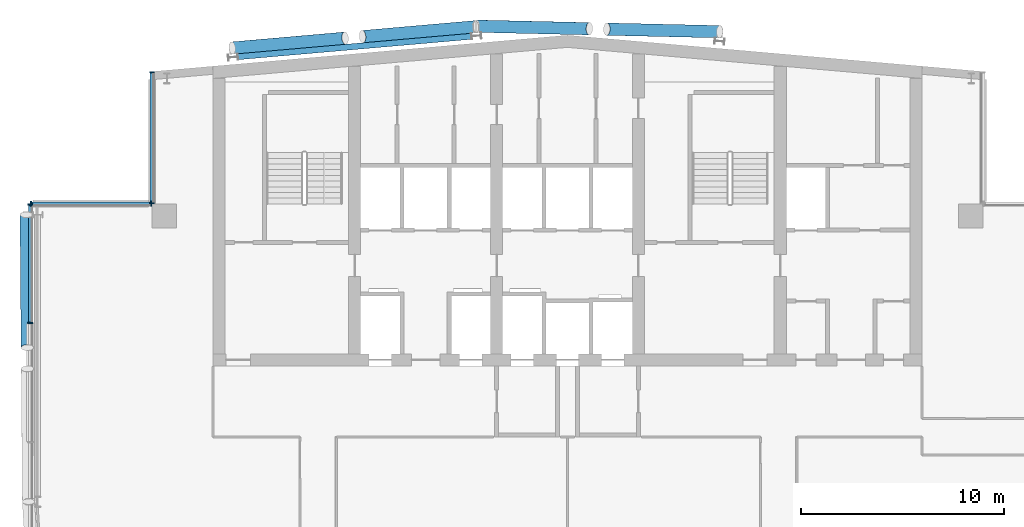
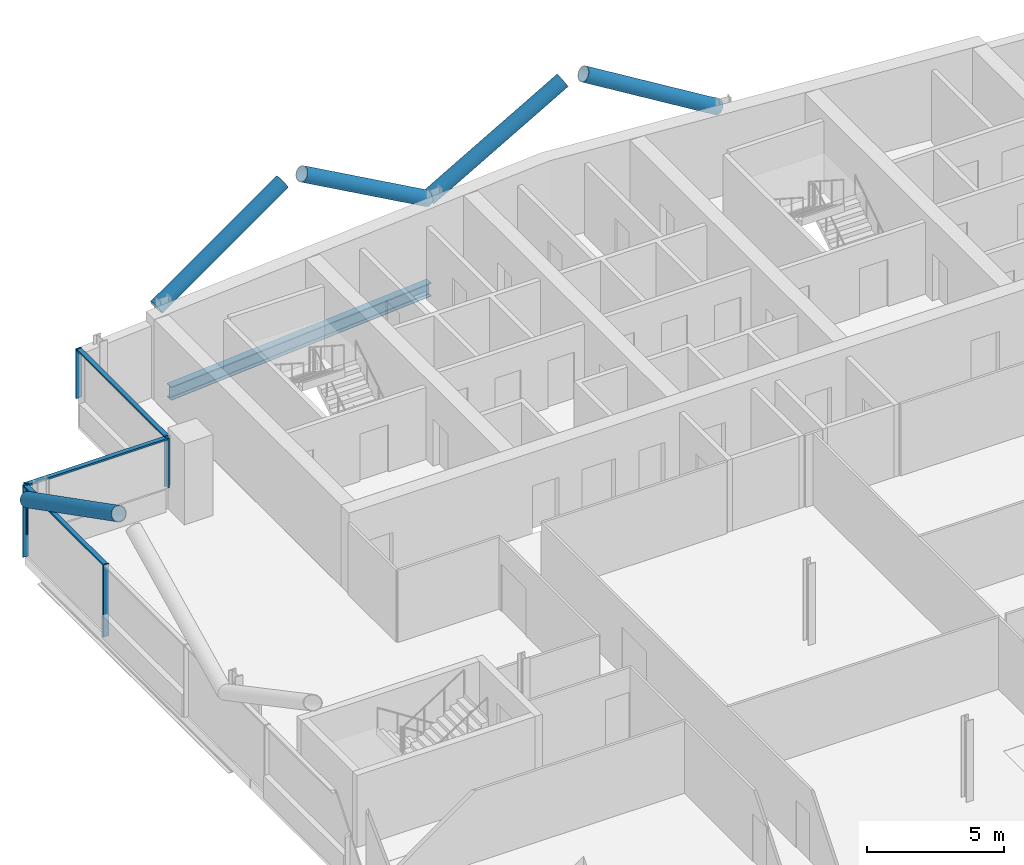
# One storey, part 10 of 28: 14 members, 1 beam, 3 elements without a shape of their own.
"""IFC4 building model written with IfcOpenShell, lengths in metres."""

import ifcopenshell
import ifcopenshell.guid

model = None  # the IFC model being written
_history = None  # IfcOwnerHistory: only IFC2X3 demands one
_inside = {}  # id of a spatial element -> (the spatial element, [elements in it])
_under = {}  # id of a project, library or spatial element -> (it, [spatial elements below it])
_declared = {}  # id of a project -> (the project, [libraries it declares])
_typed = {}  # id of a type object -> (the type object, [elements of that type])
_made_of = {}  # id of a material, layer set ... -> (it, [elements and type objects made of it])


def new_model(schema):
    """Start an empty IFC model of exactly this schema.

    Asked for "IFC4X3", IfcOpenShell would pick the latest addendum, in which some entities
    have other attributes; the version numbers below select the first issue.
    IFC2X3 requires an IfcOwnerHistory on every rooted entity: one is made here for all.
    """
    global model, _history
    if schema == "IFC4X3":
        model = ifcopenshell.file(schema_version=(4, 3, 0, 0))
    else:
        model = ifcopenshell.file(schema=schema)
    _inside.clear()
    _under.clear()
    _declared.clear()
    _typed.clear()
    _made_of.clear()
    _history = None
    if model.schema == "IFC2X3":
        org = make("IfcOrganization", Name="unknown")
        user = make(
            "IfcPersonAndOrganization",
            ThePerson=make("IfcPerson", FamilyName="unknown"),
            TheOrganization=org,
        )
        app = make(
            "IfcApplication",
            ApplicationDeveloper=org,
            Version="unknown",
            ApplicationFullName="unknown",
            ApplicationIdentifier="unknown",
        )
        _history = make(
            "IfcOwnerHistory",
            OwningUser=user,
            OwningApplication=app,
            ChangeAction="ADDED",
            CreationDate=0,
        )
    return model


def make(cls, **values):
    """One entity of the class cls with the attributes given. An attribute that is None is left unset."""
    return model.create_entity(
        cls, **{name: value for name, value in values.items() if value is not None}
    )


def rooted(cls, **values):
    """An entity with a GlobalId (a new one), such as an element, a storey or a relation."""
    return make(cls, GlobalId=ifcopenshell.guid.new(), OwnerHistory=_history, **values)


def si_unit(unit_type, name, prefix=None):
    """IfcSIUnit, for example si_unit("LENGTHUNIT", "METRE", prefix="MILLI")."""
    return make("IfcSIUnit", UnitType=unit_type, Prefix=prefix, Name=name)


def assignment(units):
    """IfcUnitAssignment: the units of a project."""
    return None if units is None else make("IfcUnitAssignment", Units=units)


def point(xyz):
    """IfcCartesianPoint."""
    return None if xyz is None else make("IfcCartesianPoint", Coordinates=xyz)


def direction(xyz):
    """IfcDirection."""
    return None if xyz is None else make("IfcDirection", DirectionRatios=xyz)


def frame(location, z_axis=None, x_axis=None):
    """IfcAxis2Placement3D, a coordinate frame: its origin and axes. An axis left out is left unset."""
    return make(
        "IfcAxis2Placement3D",
        Location=point(location),
        Axis=direction(z_axis),
        RefDirection=direction(x_axis),
    )


def frame_2d(location, x_axis=None):
    """IfcAxis2Placement2D, a coordinate frame in the plane: its origin and x axis."""
    return make(
        "IfcAxis2Placement2D", Location=point(location), RefDirection=direction(x_axis)
    )


def origin():
    """The frame at (0, 0, 0) with its axes left unset."""
    return frame((0.0, 0.0, 0.0))


def origin_2d():
    """The frame at (0, 0) in the plane with its x axis left unset."""
    return frame_2d((0.0, 0.0))


def place(relative_to, where):
    """IfcLocalPlacement: puts the frame where relative to a parent placement (None: the world)."""
    return make(
        "IfcLocalPlacement", PlacementRelTo=relative_to, RelativePlacement=where
    )


def context(
    kind, dimensions, precision=None, world=None, true_north=None, identifier=None
):
    """IfcGeometricRepresentationContext, for example the 3D "Model" context."""
    return make(
        "IfcGeometricRepresentationContext",
        ContextIdentifier=identifier,
        ContextType=kind,
        CoordinateSpaceDimension=dimensions,
        Precision=precision,
        WorldCoordinateSystem=world,
        TrueNorth=true_north,
    )


def subcontext(parent, identifier, kind, view, scale=None):
    """IfcGeometricRepresentationSubContext, for example "Body" below "Model"."""
    return make(
        "IfcGeometricRepresentationSubContext",
        ContextIdentifier=identifier,
        ContextType=kind,
        ParentContext=parent,
        TargetScale=scale,
        TargetView=view,
    )


def project(units=None, contexts=None):
    """IfcProject with its units and contexts."""
    return rooted(
        "IfcProject",
        Name="project",
        RepresentationContexts=contexts,
        UnitsInContext=assignment(units),
    )


def spatial(cls, under=None, at=None, **own):
    """A site, building, storey or space (cls), placed at a placement, below another one or the project."""
    s = rooted(cls, ObjectPlacement=at, **own)
    if under is not None:
        _under.setdefault(under.id(), (under, []))[1].append(s)
    return s


def profile(cls, at=None, kind="AREA", **sizes):
    """A parametric profile (cls). Its sizes go by their IFC names, for example OverallWidth=200.0."""
    return make(cls, ProfileType=kind, Position=at, **sizes)


def rectangle(**sizes):
    """IfcRectangleProfileDef."""
    return profile("IfcRectangleProfileDef", **sizes)


def hollow_circle(**sizes):
    """IfcCircleHollowProfileDef."""
    return profile("IfcCircleHollowProfileDef", **sizes)


def i_section(**sizes):
    """IfcIShapeProfileDef."""
    return profile("IfcIShapeProfileDef", **sizes)


def extrude(swept, where, along, depth):
    """IfcExtrudedAreaSolid: the profile swept, set in the frame where, extruded along a direction by depth."""
    return make(
        "IfcExtrudedAreaSolid",
        SweptArea=swept,
        Position=where,
        ExtrudedDirection=direction(along),
        Depth=depth,
    )


def shape(context_of_items, identifier, shape_type, items):
    """IfcShapeRepresentation: the items that make up one representation, for example the "Body"."""
    return make(
        "IfcShapeRepresentation",
        ContextOfItems=context_of_items,
        RepresentationIdentifier=identifier,
        RepresentationType=shape_type,
        Items=items,
    )


def material(Name=None, Category=None):
    """IfcMaterial."""
    return make("IfcMaterial", Name=Name, Category=Category)


def material_profile(
    of_material, cross_section, Name=None, Category=None, Priority=None
):
    """IfcMaterialProfile: a cross section and its material."""
    return make(
        "IfcMaterialProfile",
        Name=Name,
        Material=of_material,
        Profile=cross_section,
        Priority=Priority,
        Category=Category,
    )


def profile_set(profiles, Name=None, composite=None):
    """IfcMaterialProfileSet."""
    return make(
        "IfcMaterialProfileSet",
        Name=Name,
        MaterialProfiles=profiles,
        CompositeProfile=composite,
    )


def made_of(thing, what):
    """Note that an element or type object is made of a material, layer set ...; save() writes the relation."""
    if what is not None:
        _made_of.setdefault(what.id(), (what, []))[1].append(thing)
    return thing


def type_object(cls, material=None, **own):
    """A type object (cls), such as IfcWallType, which elements share."""
    return made_of(rooted(cls, **own), material)


def element(
    cls,
    number,
    at=None,
    inside=None,
    cuts=None,
    type_object=None,
    material=None,
    context=None,
    identifier="Body",
    shape_type=None,
    held_by="IfcProductDefinitionShape",
    body=None,
    shapes=None,
    **own,
):
    """One element of the class cls, such as IfcWall. Its Tag is "e" and its number.

    at: its placement. inside: the storey or other place that contains it. cuts: it is an
    opening in that element (IfcRelVoidsElement). A single representation is given by context,
    identifier, shape_type and body (its items); several are given by shapes. held_by: the class
    of the entity that holds the representations. save() writes the other relations.
    """
    e = rooted(cls, Tag="e%d" % number, ObjectPlacement=at, **own)
    if body is not None:
        shapes = [shape(context, identifier, shape_type, body)]
    if shapes is not None:
        e.Representation = make(held_by, Representations=shapes)
    if inside is not None:
        _inside.setdefault(inside.id(), (inside, []))[1].append(e)
    if cuts is not None:
        rooted(
            "IfcRelVoidsElement", RelatingBuildingElement=cuts, RelatedOpeningElement=e
        )
    if type_object is not None:
        _typed.setdefault(type_object.id(), (type_object, []))[1].append(e)
    return made_of(e, material)


def aggregate(whole, parts):
    """IfcRelAggregates: a whole, such as a stair, and the parts it consists of."""
    return rooted("IfcRelAggregates", RelatingObject=whole, RelatedObjects=parts)


def save(model, path):
    """Write the relations noted so far, then the file.

    IfcRelAggregates (storeys below a building ...), IfcRelContainedInSpatialStructure (elements
    in a storey), IfcRelDefinesByType, IfcRelAssociatesMaterial and IfcRelDeclares: one each for
    every whole, place, type object, material and project.
    """
    for whole, parts in _under.values():
        aggregate(whole, parts)
    for where, things in _inside.values():
        rooted(
            "IfcRelContainedInSpatialStructure",
            RelatedElements=things,
            RelatingStructure=where,
        )
    for kind, things in _typed.values():
        rooted("IfcRelDefinesByType", RelatedObjects=things, RelatingType=kind)
    for what, things in _made_of.values():
        rooted("IfcRelAssociatesMaterial", RelatedObjects=things, RelatingMaterial=what)
    for by, libraries in _declared.values():
        rooted("IfcRelDeclares", RelatingContext=by, RelatedDefinitions=libraries)
    model.write(path)


model = new_model("IFC4")

# Units and contexts
model_context = context("Model", 3, precision=1e-05, world=origin(), true_north=direction((0.0, 1.0)))
body_context = subcontext(model_context, "Body", "Model", "MODEL_VIEW")
ifc_project = project(units=[si_unit("LENGTHUNIT", "METRE"), si_unit("AREAUNIT", "SQUARE_METRE"), si_unit("VOLUMEUNIT", "CUBIC_METRE"), si_unit("PLANEANGLEUNIT", "RADIAN"), si_unit("MASSUNIT", "GRAM", prefix="KILO")], contexts=[model_context])

# Site, building, storey
site_placement = place(None, origin())
site = spatial("IfcSite", under=ifc_project, at=site_placement, CompositionType="ELEMENT")
building_placement = place(site_placement, origin())
building = spatial("IfcBuilding", under=site, at=building_placement, Name="Wharfspan Tower", CompositionType="ELEMENT")
storey_placement = place(building_placement, frame((0.0, 0.0, 250.300049)))
storey = spatial("IfcBuildingStorey", under=building, at=storey_placement, Name="L63", CompositionType="ELEMENT", Elevation=250.300049)

# Beam
ifc_material_1 = material(Name="Steel S355J2", Category="steel")
ifc_material_profile_1 = material_profile(ifc_material_1, i_section(OverallWidth=0.300049, OverallDepth=0.600098, WebThickness=0.015381, FlangeThickness=0.030029, FilletRadius=0.0271, at=origin_2d()))
ifc_profile_set_1 = profile_set([ifc_material_profile_1], Name="Steel S355J2")
beam_type = type_object("IfcBeamType", Name="Edge beam HEB 600", PredefinedType="SPANDREL", material=ifc_profile_set_1)
beam_placement = place(storey_placement, frame((35.754883, 50.263428, -0.699951), z_axis=(-0.996194, -0.087165, 0.0), x_axis=(0.087165, -0.996194, 0.0)))
element("IfcBeam", 1, at=beam_placement, inside=storey, type_object=beam_type, Name="Edge beam N1 L63 R.2 to R.1", PredefinedType="SPANDREL", context=body_context, shape_type="SweptSolid", body=[
    extrude(i_section(OverallWidth=0.300049, OverallDepth=0.600098, WebThickness=0.015381, FlangeThickness=0.030029, FilletRadius=0.0271, at=origin_2d()), origin(), (0.0, 0.0, 1.0), 11.553711),
])

# Curtain wall, members
ifc_material_2 = material(Name="Aluminium 6063-T6", Category="aluminium")
curtain_wall_type = type_object("IfcCurtainWallType", Name="CURTAIN WALL PROW AND END", PredefinedType="NOTDEFINED", material=ifc_material_2)
curtain_wall_1_placement = place(storey_placement, origin())
curtain_wall_1 = element("IfcCurtainWall", 2, at=curtain_wall_1_placement, inside=storey, type_object=curtain_wall_type, Name="Curtain wall NRW-V", PredefinedType="NOTDEFINED")
ifc_material_profile_2 = material_profile(ifc_material_2, rectangle(XDim=0.23999, YDim=0.060059, at=origin_2d()))
ifc_profile_set_2 = profile_set([ifc_material_profile_2], Name="Aluminium 6063-T6")
member_type_1 = type_object("IfcMemberType", Name="MULLION PROW AND END 60x240", PredefinedType="MULLION", material=ifc_profile_set_2)
member_1_placement = place(storey_placement, frame((20.0, 48.494873, 1.0), z_axis=(0.0, 0.0, 1.0), x_axis=(1.0, 0.0, 0.0)))
member_1 = element("IfcMember", 3, at=member_1_placement, type_object=member_type_1, Name="Curtain wall NRW-V mullion 1", PredefinedType="MULLION", context=body_context, shape_type="SweptSolid", body=[
    extrude(rectangle(XDim=0.23999, YDim=0.060059, at=origin_2d()), origin(), (0.0, 0.0, 1.0), 2.199951),
])
member_2_placement = place(storey_placement, frame((20.0, 42.030029, 1.0), z_axis=(0.0, 0.0, 1.0), x_axis=(1.0, 0.0, 0.0)))
member_2 = element("IfcMember", 4, at=member_2_placement, type_object=member_type_1, Name="Curtain wall NRW-V mullion 2", PredefinedType="MULLION", context=body_context, shape_type="SweptSolid", body=[
    extrude(rectangle(XDim=0.23999, YDim=0.060059, at=origin_2d()), origin(), (0.0, 0.0, 1.0), 2.199951),
])

curtain_wall_2_placement = place(storey_placement, origin())
curtain_wall_2 = element("IfcCurtainWall", 5, at=curtain_wall_2_placement, inside=storey, type_object=curtain_wall_type, Name="Curtain wall NRW-H", PredefinedType="NOTDEFINED")
member_3_placement = place(storey_placement, frame((19.969971, 42.0, 1.0), z_axis=(0.0, 0.0, 1.0), x_axis=(0.0, -1.0, 0.0)))
member_3 = element("IfcMember", 6, at=member_3_placement, type_object=member_type_1, Name="Curtain wall NRW-H mullion 1", PredefinedType="MULLION", context=body_context, shape_type="SweptSolid", body=[
    extrude(rectangle(XDim=0.23999, YDim=0.060059, at=origin_2d()), origin(), (0.0, 0.0, 1.0), 2.199951),
])
member_4_placement = place(storey_placement, frame((14.030029, 42.0, 1.0), z_axis=(0.0, 0.0, 1.0), x_axis=(0.0, -1.0, 0.0)))
member_4 = element("IfcMember", 7, at=member_4_placement, type_object=member_type_1, Name="Curtain wall NRW-H mullion 2", PredefinedType="MULLION", context=body_context, shape_type="SweptSolid", body=[
    extrude(rectangle(XDim=0.23999, YDim=0.060059, at=origin_2d()), origin(), (0.0, 0.0, 1.0), 2.199951),
])

curtain_wall_3_placement = place(storey_placement, origin())
curtain_wall_3 = element("IfcCurtainWall", 8, at=curtain_wall_3_placement, inside=storey, type_object=curtain_wall_type, Name="Curtain wall W", PredefinedType="NOTDEFINED")
member_5_placement = place(storey_placement, frame((14.0, 41.969971, 0.0), z_axis=(0.0, 0.0, 1.0), x_axis=(1.0, 0.0, 0.0)))
member_5 = element("IfcMember", 9, at=member_5_placement, type_object=member_type_1, Name="Curtain wall W mullion 1", PredefinedType="MULLION", context=body_context, shape_type="SweptSolid", body=[
    extrude(rectangle(XDim=0.23999, YDim=0.060059, at=origin_2d()), origin(), (0.0, 0.0, 1.0), 3.199951),
])
member_6_placement = place(storey_placement, frame((14.0, 36.120117, 0.0), z_axis=(0.0, 0.0, 1.0), x_axis=(1.0, 0.0, 0.0)))
member_6 = element("IfcMember", 10, at=member_6_placement, type_object=member_type_1, Name="Curtain wall W mullion 2", PredefinedType="MULLION", context=body_context, shape_type="SweptSolid", body=[
    extrude(rectangle(XDim=0.23999, YDim=0.060059, at=origin_2d()), origin(), (0.0, 0.0, 1.0), 3.199951),
])

# Members
ifc_material_3 = material(Name="Steel S460NH", Category="steel")
ifc_material_profile_3 = material_profile(ifc_material_3, hollow_circle(Radius=0.304932, WallThickness=0.024902, at=origin_2d()))
ifc_profile_set_3 = profile_set([ifc_material_profile_3], Name="Steel S460NH")
member_type_2 = type_object("IfcMemberType", Name="Mega brace CHS 610x25", PredefinedType="BRACE", material=ifc_profile_set_3)
member_7_placement = place(storey_placement, frame((13.792969, 41.459717, 2.899902), z_axis=(0.007044, -0.891361, 0.45324), x_axis=(0.999973, 0.007904, 3e-06)))
element("IfcMember", 11, at=member_7_placement, inside=storey, type_object=member_type_2, Name="Mega brace W3 L64 part 1", PredefinedType="BRACE", context=body_context, shape_type="SweptSolid", body=[
    extrude(hollow_circle(Radius=0.304932, WallThickness=0.024902, at=origin_2d()), origin(), (0.0, 0.0, 1.0), 7.347168),
])
for number, where, z_axis, x_axis, name in (
    (12, (23.960693, 49.685059, 2.899902), (0.855077, 0.074813, 0.513076), (-0.087161, 0.996195, 2e-06), "Mega brace N7 L64 part 1"),
    (13, (35.960693, 50.735107, 2.899902), (-0.855087, -0.07481, 0.51306), (0.087154, -0.996194, -2e-06), "Mega brace N7 L64 part 3"),
):
    element("IfcMember", number, at=place(storey_placement, frame(where, z_axis=z_axis, x_axis=x_axis)), inside=storey, type_object=member_type_2, Name=name, PredefinedType="BRACE", context=body_context, shape_type="SweptSolid", body=[
        extrude(hollow_circle(Radius=0.304932, WallThickness=0.024902, at=origin_2d()), origin(), (0.0, 0.0, 1.0), 6.510498),
    ])
for number, where, z_axis, x_axis, name in (
    (14, (36.010498, 50.762939, 2.899902), (0.85732, -0.019474, 0.514415), (0.022708, 0.999746, 2e-06), "Mega brace N8 L64 part 1"),
    (15, (48.010254, 50.490234, 2.899902), (-0.85732, 0.019474, 0.514415), (-0.022708, -0.999746, 2e-06), "Mega brace N8 L64 part 3"),
):
    element("IfcMember", number, at=place(storey_placement, frame(where, z_axis=z_axis, x_axis=x_axis)), inside=storey, type_object=member_type_2, Name=name, PredefinedType="BRACE", context=body_context, shape_type="SweptSolid", body=[
        extrude(hollow_circle(Radius=0.304932, WallThickness=0.024902, at=origin_2d()), origin(), (0.0, 0.0, 1.0), 6.493896),
    ])

# Member
ifc_material_profile_4 = material_profile(ifc_material_2, rectangle(XDim=0.179932, YDim=0.080078, at=origin_2d()))
ifc_profile_set_4 = profile_set([ifc_material_profile_4], Name="Aluminium 6063-T6")
member_type_3 = type_object("IfcMemberType", Name="TRANSOM PROW AND END 80x180", PredefinedType="USERDEFINED", material=ifc_profile_set_4)
member_8_placement = place(storey_placement, frame((20.0, 48.464844, 3.159912), z_axis=(0.0, -1.0, 0.0), x_axis=(1.0, 0.0, 0.0)))
member_8 = element("IfcMember", 16, at=member_8_placement, type_object=member_type_3, Name="Curtain wall NRW-V transom 1", ObjectType="TRANSOM", PredefinedType="USERDEFINED", context=body_context, shape_type="SweptSolid", body=[
    extrude(rectangle(XDim=0.179932, YDim=0.080078, at=origin_2d()), origin(), (0.0, 0.0, 1.0), 6.404785),
])

aggregate(curtain_wall_1, [member_1, member_2, member_8])

member_9_placement = place(storey_placement, frame((19.939941, 42.0, 3.159912), z_axis=(-1.0, 0.0, 0.0), x_axis=(0.0, -1.0, 0.0)))
member_9 = element("IfcMember", 17, at=member_9_placement, type_object=member_type_3, Name="Curtain wall NRW-H transom 1", ObjectType="TRANSOM", PredefinedType="USERDEFINED", context=body_context, shape_type="SweptSolid", body=[
    extrude(rectangle(XDim=0.179932, YDim=0.080078, at=origin_2d()), origin(), (0.0, 0.0, 1.0), 5.879883),
])

aggregate(curtain_wall_2, [member_3, member_4, member_9])

member_10_placement = place(storey_placement, frame((14.0, 41.939941, 3.159912), z_axis=(0.0, -1.0, 0.0), x_axis=(1.0, 0.0, 0.0)))
member_10 = element("IfcMember", 18, at=member_10_placement, type_object=member_type_3, Name="Curtain wall W transom 1", ObjectType="TRANSOM", PredefinedType="USERDEFINED", context=body_context, shape_type="SweptSolid", body=[
    extrude(rectangle(XDim=0.179932, YDim=0.080078, at=origin_2d()), origin(), (0.0, 0.0, 1.0), 5.790039),
])

aggregate(curtain_wall_3, [member_5, member_6, member_10])

save(model, "model.ifc")
